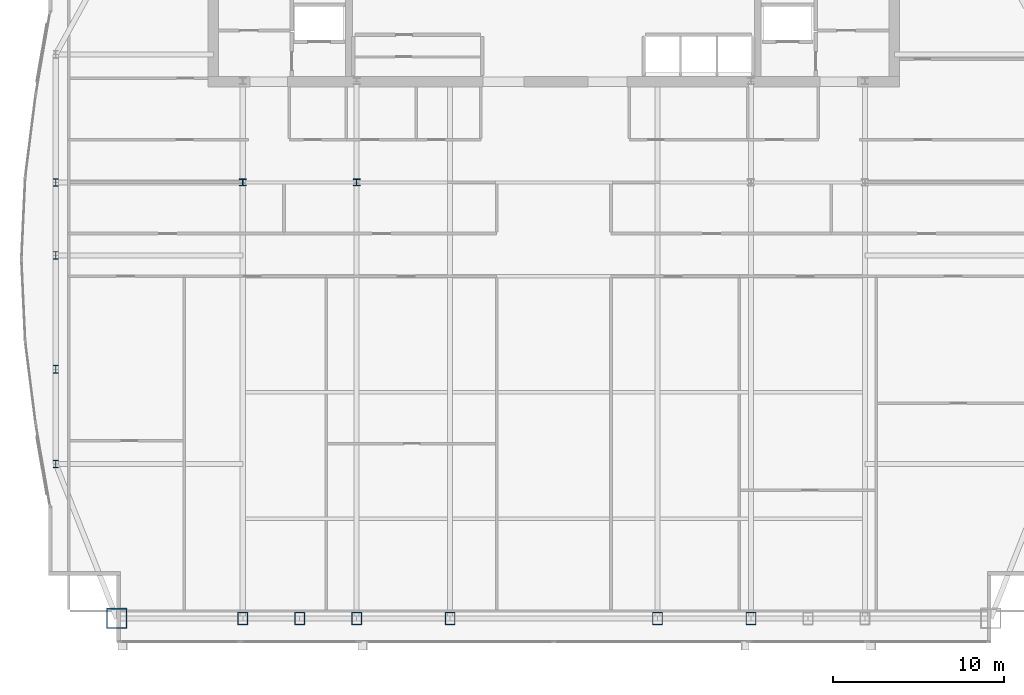
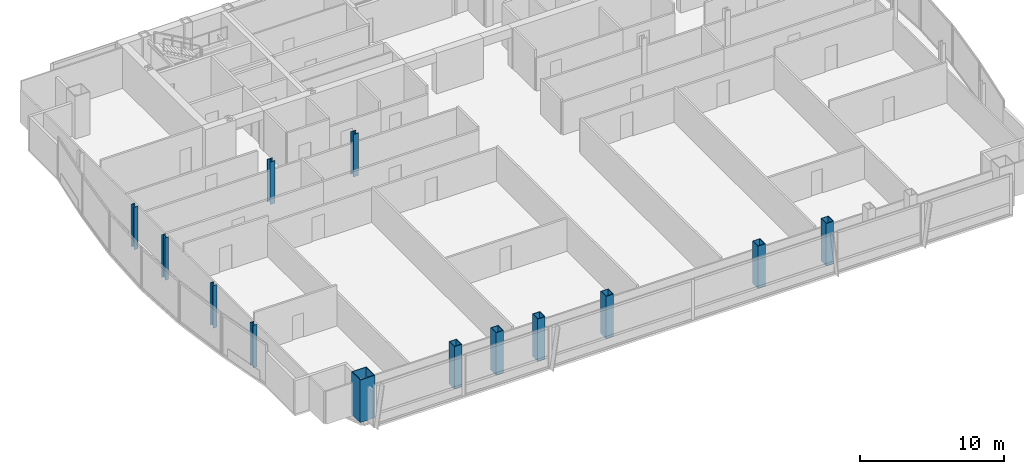
# One storey, part 1 of 30: 13 columns.
"""IFC4 building model written with IfcOpenShell, lengths in metres."""

from ifc_helpers import new_model, si_unit, direction, frame, origin, origin_2d, place, context, subcontext, project, spatial, hollow_rectangle, i_section, extrude, material, material_profile, profile_set, type_object, element, save


model = new_model("IFC4")

# Units and contexts
model_context = context("Model", 3, precision=1e-05, world=origin(), true_north=direction((0.0, 1.0)))
body_context = subcontext(model_context, "Body", "Model", "MODEL_VIEW")
ifc_project = project(units=[si_unit("LENGTHUNIT", "METRE"), si_unit("AREAUNIT", "SQUARE_METRE"), si_unit("VOLUMEUNIT", "CUBIC_METRE"), si_unit("PLANEANGLEUNIT", "RADIAN"), si_unit("MASSUNIT", "GRAM", prefix="KILO")], contexts=[model_context])

# Site, building, storey
site_placement = place(None, origin())
site = spatial("IfcSite", under=ifc_project, at=site_placement, CompositionType="ELEMENT")
building_placement = place(site_placement, origin())
building = spatial("IfcBuilding", under=site, at=building_placement, Name="Khoronbel Lancet Exchange", CompositionType="ELEMENT")
storey_placement = place(building_placement, frame((0.0, 0.0, 224.60009765625)))
storey = spatial("IfcBuildingStorey", under=building, at=storey_placement, Name="L57", CompositionType="ELEMENT", Elevation=224.60009765625)

# Columns
ifc_material_1 = material(Name="Steel S460", Category="steel")
ifc_material_profile_1 = material_profile(ifc_material_1, hollow_rectangle(XDim=0.60009765625, YDim=0.75, WallThickness=0.044921875, at=origin_2d()), Name="BOX 750x600x45")
ifc_profile_set_1 = profile_set([ifc_material_profile_1], Name="Steel S460")
column_type_1 = type_object("IfcColumnType", Name="COL-EC3", PredefinedType="COLUMN", material=ifc_profile_set_1)
for number, where, z_axis, x_axis, name in (
    (1, (18.22509765625, 10.14990234375, 0.0), (0.0, 0.0, 1.0), (1.0, 0.0, 0.0), "Structural column SC-W1 L57"),
    (2, (21.5625, 10.14990234375, 0.0), (0.0, 0.0, 1.0), (1.0, 0.0, 0.0), "Structural column SC-WM L57"),
    (3, (24.89990234375, 10.14990234375, 0.0), (0.0, 0.0, 1.0), (1.0, 0.0, 0.0), "Structural column SC-W2 L57"),
    (4, (30.375, 10.14990234375, 0.0), (0.0, 0.0, 1.0), (1.0, 0.0, 0.0), "Structural column SC-C1 L57"),
    (5, (42.52490234375, 10.14990234375, 0.0), (0.0, 0.0, 1.0), (1.0, 0.0, 0.0), "Structural column SC-C2 L57"),
    (6, (48.0, 10.14990234375, 0.0), (0.0, 0.0, 1.0), (1.0, 0.0, 0.0), "Structural column SC-E1 L57"),
):
    element("IfcColumn", number, at=place(storey_placement, frame(where, z_axis=z_axis, x_axis=x_axis)), inside=storey, type_object=column_type_1, Name=name, PredefinedType="COLUMN", context=body_context, shape_type="SweptSolid", body=[
        extrude(hollow_rectangle(XDim=0.60009765625, YDim=0.75, WallThickness=0.044921875, at=origin_2d()), origin(), (0.0, 0.0, 1.0), 3.599853515625),
    ])
ifc_material_2 = material(Name="Steel S355", Category="steel")
ifc_material_profile_2 = material_profile(ifc_material_2, i_section(OverallWidth=0.406005859375, OverallDepth=0.416015625, WebThickness=0.02978515625, FlangeThickness=0.048095703125, at=origin_2d()), Name="HD 400x382")
ifc_profile_set_2 = profile_set([ifc_material_profile_2], Name="Steel S355")
column_type_2 = type_object("IfcColumnType", Name="COL-IC3", PredefinedType="COLUMN", material=ifc_profile_set_2)
for number, where, z_axis, x_axis, name in (
    (7, (18.22509765625, 35.699951171875, 0.0), (0.0, 0.0, 1.0), (1.0, 0.0, 0.0), "Spine gravity column TC1 L57"),
    (8, (24.89990234375, 35.699951171875, 0.0), (0.0, 0.0, 1.0), (1.0, 0.0, 0.0), "Spine gravity column TC2 L57"),
):
    element("IfcColumn", number, at=place(storey_placement, frame(where, z_axis=z_axis, x_axis=x_axis)), inside=storey, type_object=column_type_2, Name=name, PredefinedType="COLUMN", context=body_context, shape_type="SweptSolid", body=[
        extrude(i_section(OverallWidth=0.406005859375, OverallDepth=0.416015625, WebThickness=0.02978515625, FlangeThickness=0.048095703125, at=origin_2d()), origin(), (0.0, 0.0, 1.0), 3.599853515625),
    ])
ifc_material_profile_3 = material_profile(ifc_material_2, i_section(OverallWidth=0.300048828125, OverallDepth=0.449951171875, WebThickness=0.013916015625, FlangeThickness=0.02587890625, at=origin_2d()), Name="HEB 450")
ifc_profile_set_3 = profile_set([ifc_material_profile_3], Name="Steel S355")
column_type_3 = type_object("IfcColumnType", Name="COL-LC2", PredefinedType="COLUMN", material=ifc_profile_set_3)
for number, where, z_axis, x_axis, name in (
    (9, (7.27001953125, 19.199951171875, 0.0), (0.0, 0.0, 1.0), (1.0, 0.0, 0.0), "Structural column WC-1 L57"),
    (10, (7.27001953125, 24.75, 0.0), (0.0, 0.0, 1.0), (1.0, 0.0, 0.0), "Structural column WC-2 L57"),
    (11, (7.27001953125, 31.425048828125, 0.0), (0.0, 0.0, 1.0), (1.0, 0.0, 0.0), "Structural column WC-M L57"),
    (12, (7.27001953125, 35.699951171875, 0.0), (0.0, 0.0, 1.0), (1.0, 0.0, 0.0), "Structural column WC-3 L57"),
):
    element("IfcColumn", number, at=place(storey_placement, frame(where, z_axis=z_axis, x_axis=x_axis)), inside=storey, type_object=column_type_3, Name=name, PredefinedType="COLUMN", context=body_context, shape_type="SweptSolid", body=[
        extrude(i_section(OverallWidth=0.300048828125, OverallDepth=0.449951171875, WebThickness=0.013916015625, FlangeThickness=0.02587890625, at=origin_2d()), origin(), (0.0, 0.0, 1.0), 3.599853515625),
    ])
ifc_material_profile_4 = material_profile(ifc_material_1, hollow_rectangle(XDim=1.199951171875, YDim=1.199951171875, WallThickness=0.06005859375, at=origin_2d()), Name="BOX 1200x1200x60")
ifc_profile_set_4 = profile_set([ifc_material_profile_4], Name="Steel S460")
column_type_4 = type_object("IfcColumnType", Name="COL-MC5", PredefinedType="COLUMN", material=ifc_profile_set_4)
column_placement = place(storey_placement, frame((10.85009765625, 10.14990234375, 0.0), z_axis=(0.0, 0.0, 1.0), x_axis=(1.0, 0.0, 0.0)))
element("IfcColumn", 13, at=column_placement, inside=storey, type_object=column_type_4, Name="Structural column MC-SW L57", PredefinedType="COLUMN", context=body_context, shape_type="SweptSolid", body=[
    extrude(hollow_rectangle(XDim=1.199951171875, YDim=1.199951171875, WallThickness=0.06005859375, at=origin_2d()), origin(), (0.0, 0.0, 1.0), 3.599853515625),
])

save(model, "model.ifc")
